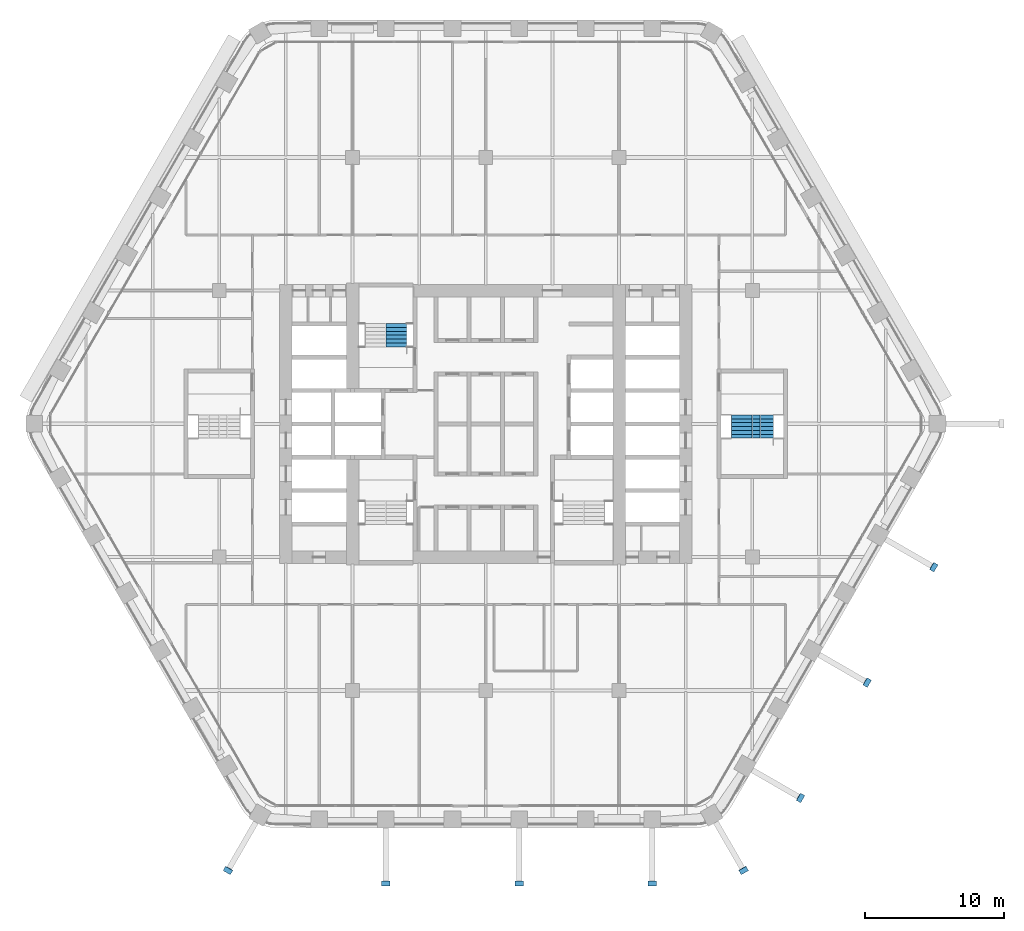
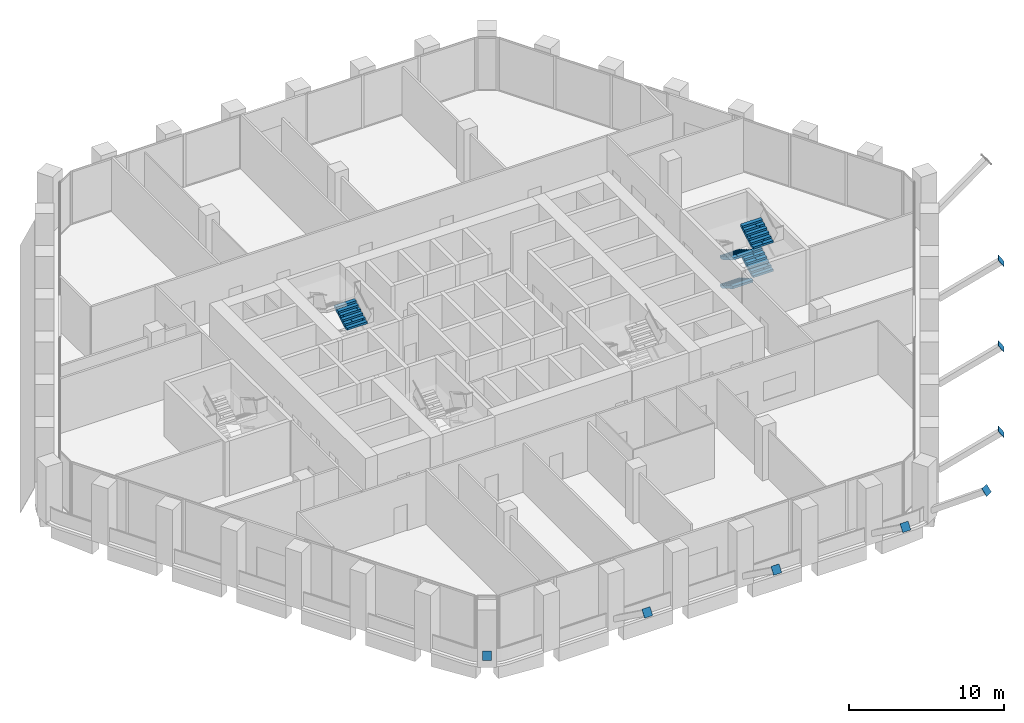
# One storey, part 21 of 24: 8 discrete accessories, 5 stair flights, 2 elements without a shape of their own.
"""IFC4 building model written with IfcOpenShell, lengths in metres."""

from ifc_helpers import new_model, si_unit, direction, frame, origin, origin_2d, place, context, subcontext, project, spatial, polyline, rectangle, outline, extrude, material, type_object, element, aggregate, save


model = new_model("IFC4")

# Units and contexts
model_context = context("Model", 3, precision=1e-05, world=origin(), true_north=direction((0.0, 1.0)))
body_context = subcontext(model_context, "Body", "Model", "MODEL_VIEW")
ifc_project = project(units=[si_unit("LENGTHUNIT", "METRE"), si_unit("AREAUNIT", "SQUARE_METRE"), si_unit("VOLUMEUNIT", "CUBIC_METRE"), si_unit("PLANEANGLEUNIT", "RADIAN"), si_unit("MASSUNIT", "GRAM", prefix="KILO")], contexts=[model_context])

# Site, building, storey
site_placement = place(None, origin())
site = spatial("IfcSite", under=ifc_project, at=site_placement, CompositionType="ELEMENT")
building_placement = place(site_placement, origin())
building = spatial("IfcBuilding", under=site, at=building_placement, Name="Kolab Exchange Tower", CompositionType="ELEMENT")
storey_placement = place(building_placement, frame((0.0, 0.0, 86.89990234375)))
storey = spatial("IfcBuildingStorey", under=building, at=storey_placement, Name="L16", CompositionType="ELEMENT", Elevation=86.89990234375)

# Stair, stair flight
ifc_material = material(Name="Concrete C50/60", Category="concrete")
stair_type_1 = type_object("IfcStairType", Name="STAIR ST1 RISER 160.7", PredefinedType="DOUBLE_RETURN_STAIR", material=ifc_material)
stair_1_placement = place(storey_placement, origin())
stair_1 = element("IfcStair", 1, at=stair_1_placement, inside=storey, type_object=stair_type_1, Name="Stair 1", PredefinedType="DOUBLE_RETURN_STAIR")
stair_flight_type = type_object("IfcStairFlightType", Name="STAIR FLIGHT 1500 RISER 160.7", PredefinedType="STRAIGHT", material=ifc_material)
stair_flight_1_placement = place(storey_placement, frame((-6.43994140625, 5.550048828125, 2.25), z_axis=(0.0, 0.0, 1.0), x_axis=(0.0, 1.0, 0.0)))
stair_flight_1 = element("IfcStairFlight", 2, at=stair_flight_1_placement, type_object=stair_flight_type, Name="ST1 flight 3", NumberOfRisers=7, NumberOfTreads=6, PredefinedType="STRAIGHT", RiserHeight=0.160714286, TreadLength=0.28, context=body_context, shape_type="SweptSolid", body=[
    extrude(outline(polyline([(0.0, 0.0), (0.0, 0.16064453125), (0.280029296875, 0.16064453125), (0.280029296875, 0.321533203125), (0.56005859375, 0.321533203125), (0.56005859375, 0.482177734375), (0.840087890625, 0.482177734375), (0.840087890625, 0.642822265625), (1.1201171875, 0.642822265625), (1.1201171875, 0.803466796875), (1.39990234375, 0.803466796875), (1.39990234375, 0.96435546875), (1.679931640625, 0.96435546875), (1.679931640625, 1.125), (1.679931640625, 0.79150390625), (0.301025390625, 0.0), (0.0, 0.0)])), frame((0.0, 0.75, 0.0), z_axis=(0.0, -1.0, 0.0), x_axis=(1.0, 0.0, 0.0)), (0.0, 0.0, 1.0), 0.185791015625),
    extrude(outline(polyline([(0.0, 0.0), (0.0, 0.16064453125), (0.280029296875, 0.16064453125), (0.280029296875, 0.321533203125), (0.56005859375, 0.321533203125), (0.56005859375, 0.482177734375), (0.840087890625, 0.482177734375), (0.840087890625, 0.642822265625), (1.1201171875, 0.642822265625), (1.1201171875, 0.803466796875), (1.39990234375, 0.803466796875), (1.39990234375, 0.96435546875), (1.679931640625, 0.96435546875), (1.679931640625, 1.125), (1.679931640625, 0.79150390625), (0.301025390625, 0.0), (0.0, 0.0)])), frame((0.0, 0.562255859375, 0.0), z_axis=(0.0, -1.0, 0.0), x_axis=(1.0, 0.0, 0.0)), (0.0, 0.0, 1.0), 0.185791015625),
    extrude(outline(polyline([(0.0, 0.0), (0.0, 0.16064453125), (0.280029296875, 0.16064453125), (0.280029296875, 0.321533203125), (0.56005859375, 0.321533203125), (0.56005859375, 0.482177734375), (0.840087890625, 0.482177734375), (0.840087890625, 0.642822265625), (1.1201171875, 0.642822265625), (1.1201171875, 0.803466796875), (1.39990234375, 0.803466796875), (1.39990234375, 0.96435546875), (1.679931640625, 0.96435546875), (1.679931640625, 1.125), (1.679931640625, 0.79150390625), (0.301025390625, 0.0), (0.0, 0.0)])), frame((0.0, 0.37451171875, 0.0), z_axis=(0.0, -1.0, 0.0), x_axis=(1.0, 0.0, 0.0)), (0.0, 0.0, 1.0), 0.185791015625),
    extrude(outline(polyline([(0.0, 0.0), (0.0, 0.16064453125), (0.280029296875, 0.16064453125), (0.280029296875, 0.321533203125), (0.56005859375, 0.321533203125), (0.56005859375, 0.482177734375), (0.840087890625, 0.482177734375), (0.840087890625, 0.642822265625), (1.1201171875, 0.642822265625), (1.1201171875, 0.803466796875), (1.39990234375, 0.803466796875), (1.39990234375, 0.96435546875), (1.679931640625, 0.96435546875), (1.679931640625, 1.125), (1.679931640625, 0.79150390625), (0.301025390625, 0.0), (0.0, 0.0)])), frame((0.0, 0.186767578125, 0.0), z_axis=(0.0, -1.0, 0.0), x_axis=(1.0, 0.0, 0.0)), (0.0, 0.0, 1.0), 0.185791015625),
    extrude(outline(polyline([(0.0, 0.0), (0.0, 0.16064453125), (0.280029296875, 0.16064453125), (0.280029296875, 0.321533203125), (0.56005859375, 0.321533203125), (0.56005859375, 0.482177734375), (0.840087890625, 0.482177734375), (0.840087890625, 0.642822265625), (1.1201171875, 0.642822265625), (1.1201171875, 0.803466796875), (1.39990234375, 0.803466796875), (1.39990234375, 0.96435546875), (1.679931640625, 0.96435546875), (1.679931640625, 1.125), (1.679931640625, 0.79150390625), (0.301025390625, 0.0), (0.0, 0.0)])), frame((0.0, -0.0009765625, 0.0), z_axis=(0.0, -1.0, 0.0), x_axis=(1.0, 0.0, 0.0)), (0.0, 0.0, 1.0), 0.185791015625),
    extrude(outline(polyline([(0.0, 0.0), (0.0, 0.16064453125), (0.280029296875, 0.16064453125), (0.280029296875, 0.321533203125), (0.56005859375, 0.321533203125), (0.56005859375, 0.482177734375), (0.840087890625, 0.482177734375), (0.840087890625, 0.642822265625), (1.1201171875, 0.642822265625), (1.1201171875, 0.803466796875), (1.39990234375, 0.803466796875), (1.39990234375, 0.96435546875), (1.679931640625, 0.96435546875), (1.679931640625, 1.125), (1.679931640625, 0.79150390625), (0.301025390625, 0.0), (0.0, 0.0)])), frame((0.0, -0.188720703125, 0.0), z_axis=(0.0, -1.0, 0.0), x_axis=(1.0, 0.0, 0.0)), (0.0, 0.0, 1.0), 0.185791015625),
    extrude(outline(polyline([(0.0, 0.0), (0.0, 0.16064453125), (0.280029296875, 0.16064453125), (0.280029296875, 0.321533203125), (0.56005859375, 0.321533203125), (0.56005859375, 0.482177734375), (0.840087890625, 0.482177734375), (0.840087890625, 0.642822265625), (1.1201171875, 0.642822265625), (1.1201171875, 0.803466796875), (1.39990234375, 0.803466796875), (1.39990234375, 0.96435546875), (1.679931640625, 0.96435546875), (1.679931640625, 1.125), (1.679931640625, 0.79150390625), (0.301025390625, 0.0), (0.0, 0.0)])), frame((0.0, -0.37646484375, 0.0), z_axis=(0.0, -1.0, 0.0), x_axis=(1.0, 0.0, 0.0)), (0.0, 0.0, 1.0), 0.185791015625),
    extrude(outline(polyline([(0.0, 0.0), (0.0, 0.16064453125), (0.280029296875, 0.16064453125), (0.280029296875, 0.321533203125), (0.56005859375, 0.321533203125), (0.56005859375, 0.482177734375), (0.840087890625, 0.482177734375), (0.840087890625, 0.642822265625), (1.1201171875, 0.642822265625), (1.1201171875, 0.803466796875), (1.39990234375, 0.803466796875), (1.39990234375, 0.96435546875), (1.679931640625, 0.96435546875), (1.679931640625, 1.125), (1.679931640625, 0.79150390625), (0.301025390625, 0.0), (0.0, 0.0)])), frame((0.0, -0.564208984375, 0.0), z_axis=(0.0, -1.0, 0.0), x_axis=(1.0, 0.0, 0.0)), (0.0, 0.0, 1.0), 0.185791015625),
])
aggregate(stair_1, [stair_flight_1])

# Stair, stair flights
stair_type_2 = type_object("IfcStairType", Name="STAIR ST4 RISER 160.7", PredefinedType="DOUBLE_RETURN_STAIR", material=ifc_material)
stair_2_placement = place(storey_placement, origin())
stair_2 = element("IfcStair", 3, at=stair_2_placement, inside=storey, type_object=stair_type_2, Name="Stair 4", PredefinedType="DOUBLE_RETURN_STAIR")
stair_flight_2_placement = place(storey_placement, frame((18.43994140625, 0.64990234375, 0.0), z_axis=(0.0, 0.0, 1.0), x_axis=(0.0, -1.0, 0.0)))
stair_flight_2 = element("IfcStairFlight", 4, at=stair_flight_2_placement, type_object=stair_flight_type, Name="ST4 flight 1", NumberOfRisers=7, NumberOfTreads=6, PredefinedType="STRAIGHT", RiserHeight=0.160714286, TreadLength=0.28, context=body_context, shape_type="SweptSolid", body=[
    extrude(outline(polyline([(0.0, 0.0), (0.0, 0.16064453125), (0.280029296875, 0.16064453125), (0.280029296875, 0.321533203125), (0.56005859375, 0.321533203125), (0.56005859375, 0.482177734375), (0.840087890625, 0.482177734375), (0.840087890625, 0.642822265625), (1.1201171875, 0.642822265625), (1.1201171875, 0.803466796875), (1.39990234375, 0.803466796875), (1.39990234375, 0.96435546875), (1.679931640625, 0.96435546875), (1.679931640625, 1.125), (1.679931640625, 0.79150390625), (0.301025390625, 0.0), (0.0, 0.0)])), frame((0.0, 0.75, 0.0), z_axis=(0.0, -1.0, 0.0), x_axis=(1.0, 0.0, 0.0)), (0.0, 0.0, 1.0), 0.185791015625),
    extrude(outline(polyline([(0.0, 0.0), (0.0, 0.16064453125), (0.280029296875, 0.16064453125), (0.280029296875, 0.321533203125), (0.56005859375, 0.321533203125), (0.56005859375, 0.482177734375), (0.840087890625, 0.482177734375), (0.840087890625, 0.642822265625), (1.1201171875, 0.642822265625), (1.1201171875, 0.803466796875), (1.39990234375, 0.803466796875), (1.39990234375, 0.96435546875), (1.679931640625, 0.96435546875), (1.679931640625, 1.125), (1.679931640625, 0.79150390625), (0.301025390625, 0.0), (0.0, 0.0)])), frame((0.0, 0.562255859375, 0.0), z_axis=(0.0, -1.0, 0.0), x_axis=(1.0, 0.0, 0.0)), (0.0, 0.0, 1.0), 0.185791015625),
    extrude(outline(polyline([(0.0, 0.0), (0.0, 0.16064453125), (0.280029296875, 0.16064453125), (0.280029296875, 0.321533203125), (0.56005859375, 0.321533203125), (0.56005859375, 0.482177734375), (0.840087890625, 0.482177734375), (0.840087890625, 0.642822265625), (1.1201171875, 0.642822265625), (1.1201171875, 0.803466796875), (1.39990234375, 0.803466796875), (1.39990234375, 0.96435546875), (1.679931640625, 0.96435546875), (1.679931640625, 1.125), (1.679931640625, 0.79150390625), (0.301025390625, 0.0), (0.0, 0.0)])), frame((0.0, 0.37451171875, 0.0), z_axis=(0.0, -1.0, 0.0), x_axis=(1.0, 0.0, 0.0)), (0.0, 0.0, 1.0), 0.185791015625),
    extrude(outline(polyline([(0.0, 0.0), (0.0, 0.16064453125), (0.280029296875, 0.16064453125), (0.280029296875, 0.321533203125), (0.56005859375, 0.321533203125), (0.56005859375, 0.482177734375), (0.840087890625, 0.482177734375), (0.840087890625, 0.642822265625), (1.1201171875, 0.642822265625), (1.1201171875, 0.803466796875), (1.39990234375, 0.803466796875), (1.39990234375, 0.96435546875), (1.679931640625, 0.96435546875), (1.679931640625, 1.125), (1.679931640625, 0.79150390625), (0.301025390625, 0.0), (0.0, 0.0)])), frame((0.0, 0.186767578125, 0.0), z_axis=(0.0, -1.0, 0.0), x_axis=(1.0, 0.0, 0.0)), (0.0, 0.0, 1.0), 0.185791015625),
    extrude(outline(polyline([(0.0, 0.0), (0.0, 0.16064453125), (0.280029296875, 0.16064453125), (0.280029296875, 0.321533203125), (0.56005859375, 0.321533203125), (0.56005859375, 0.482177734375), (0.840087890625, 0.482177734375), (0.840087890625, 0.642822265625), (1.1201171875, 0.642822265625), (1.1201171875, 0.803466796875), (1.39990234375, 0.803466796875), (1.39990234375, 0.96435546875), (1.679931640625, 0.96435546875), (1.679931640625, 1.125), (1.679931640625, 0.79150390625), (0.301025390625, 0.0), (0.0, 0.0)])), frame((0.0, -0.0009765625, 0.0), z_axis=(0.0, -1.0, 0.0), x_axis=(1.0, 0.0, 0.0)), (0.0, 0.0, 1.0), 0.185791015625),
    extrude(outline(polyline([(0.0, 0.0), (0.0, 0.16064453125), (0.280029296875, 0.16064453125), (0.280029296875, 0.321533203125), (0.56005859375, 0.321533203125), (0.56005859375, 0.482177734375), (0.840087890625, 0.482177734375), (0.840087890625, 0.642822265625), (1.1201171875, 0.642822265625), (1.1201171875, 0.803466796875), (1.39990234375, 0.803466796875), (1.39990234375, 0.96435546875), (1.679931640625, 0.96435546875), (1.679931640625, 1.125), (1.679931640625, 0.79150390625), (0.301025390625, 0.0), (0.0, 0.0)])), frame((0.0, -0.188720703125, 0.0), z_axis=(0.0, -1.0, 0.0), x_axis=(1.0, 0.0, 0.0)), (0.0, 0.0, 1.0), 0.185791015625),
    extrude(outline(polyline([(0.0, 0.0), (0.0, 0.16064453125), (0.280029296875, 0.16064453125), (0.280029296875, 0.321533203125), (0.56005859375, 0.321533203125), (0.56005859375, 0.482177734375), (0.840087890625, 0.482177734375), (0.840087890625, 0.642822265625), (1.1201171875, 0.642822265625), (1.1201171875, 0.803466796875), (1.39990234375, 0.803466796875), (1.39990234375, 0.96435546875), (1.679931640625, 0.96435546875), (1.679931640625, 1.125), (1.679931640625, 0.79150390625), (0.301025390625, 0.0), (0.0, 0.0)])), frame((0.0, -0.37646484375, 0.0), z_axis=(0.0, -1.0, 0.0), x_axis=(1.0, 0.0, 0.0)), (0.0, 0.0, 1.0), 0.185791015625),
    extrude(outline(polyline([(0.0, 0.0), (0.0, 0.16064453125), (0.280029296875, 0.16064453125), (0.280029296875, 0.321533203125), (0.56005859375, 0.321533203125), (0.56005859375, 0.482177734375), (0.840087890625, 0.482177734375), (0.840087890625, 0.642822265625), (1.1201171875, 0.642822265625), (1.1201171875, 0.803466796875), (1.39990234375, 0.803466796875), (1.39990234375, 0.96435546875), (1.679931640625, 0.96435546875), (1.679931640625, 1.125), (1.679931640625, 0.79150390625), (0.301025390625, 0.0), (0.0, 0.0)])), frame((0.0, -0.564208984375, 0.0), z_axis=(0.0, -1.0, 0.0), x_axis=(1.0, 0.0, 0.0)), (0.0, 0.0, 1.0), 0.185791015625),
])
stair_flight_3_placement = place(storey_placement, frame((19.9599609375, -1.030029296875, 1.125), z_axis=(0.0, 0.0, 1.0), x_axis=(0.0, 1.0, 0.0)))
stair_flight_3 = element("IfcStairFlight", 5, at=stair_flight_3_placement, type_object=stair_flight_type, Name="ST4 flight 2", NumberOfRisers=7, NumberOfTreads=6, PredefinedType="STRAIGHT", RiserHeight=0.160714286, TreadLength=0.28, context=body_context, shape_type="SweptSolid", body=[
    extrude(outline(polyline([(0.0, 0.0), (0.0, 0.16064453125), (0.280029296875, 0.16064453125), (0.280029296875, 0.321533203125), (0.56005859375, 0.321533203125), (0.56005859375, 0.482177734375), (0.840087890625, 0.482177734375), (0.840087890625, 0.642822265625), (1.1201171875, 0.642822265625), (1.1201171875, 0.803466796875), (1.39990234375, 0.803466796875), (1.39990234375, 0.96435546875), (1.679931640625, 0.96435546875), (1.679931640625, 1.125), (1.679931640625, 0.79150390625), (0.301025390625, 0.0), (0.0, 0.0)])), frame((0.0, 0.75, 0.0), z_axis=(0.0, -1.0, 0.0), x_axis=(1.0, 0.0, 0.0)), (0.0, 0.0, 1.0), 0.185791015625),
    extrude(outline(polyline([(0.0, 0.0), (0.0, 0.16064453125), (0.280029296875, 0.16064453125), (0.280029296875, 0.321533203125), (0.56005859375, 0.321533203125), (0.56005859375, 0.482177734375), (0.840087890625, 0.482177734375), (0.840087890625, 0.642822265625), (1.1201171875, 0.642822265625), (1.1201171875, 0.803466796875), (1.39990234375, 0.803466796875), (1.39990234375, 0.96435546875), (1.679931640625, 0.96435546875), (1.679931640625, 1.125), (1.679931640625, 0.79150390625), (0.301025390625, 0.0), (0.0, 0.0)])), frame((0.0, 0.562255859375, 0.0), z_axis=(0.0, -1.0, 0.0), x_axis=(1.0, 0.0, 0.0)), (0.0, 0.0, 1.0), 0.185791015625),
    extrude(outline(polyline([(0.0, 0.0), (0.0, 0.16064453125), (0.280029296875, 0.16064453125), (0.280029296875, 0.321533203125), (0.56005859375, 0.321533203125), (0.56005859375, 0.482177734375), (0.840087890625, 0.482177734375), (0.840087890625, 0.642822265625), (1.1201171875, 0.642822265625), (1.1201171875, 0.803466796875), (1.39990234375, 0.803466796875), (1.39990234375, 0.96435546875), (1.679931640625, 0.96435546875), (1.679931640625, 1.125), (1.679931640625, 0.79150390625), (0.301025390625, 0.0), (0.0, 0.0)])), frame((0.0, 0.37451171875, 0.0), z_axis=(0.0, -1.0, 0.0), x_axis=(1.0, 0.0, 0.0)), (0.0, 0.0, 1.0), 0.185791015625),
    extrude(outline(polyline([(0.0, 0.0), (0.0, 0.16064453125), (0.280029296875, 0.16064453125), (0.280029296875, 0.321533203125), (0.56005859375, 0.321533203125), (0.56005859375, 0.482177734375), (0.840087890625, 0.482177734375), (0.840087890625, 0.642822265625), (1.1201171875, 0.642822265625), (1.1201171875, 0.803466796875), (1.39990234375, 0.803466796875), (1.39990234375, 0.96435546875), (1.679931640625, 0.96435546875), (1.679931640625, 1.125), (1.679931640625, 0.79150390625), (0.301025390625, 0.0), (0.0, 0.0)])), frame((0.0, 0.186767578125, 0.0), z_axis=(0.0, -1.0, 0.0), x_axis=(1.0, 0.0, 0.0)), (0.0, 0.0, 1.0), 0.185791015625),
    extrude(outline(polyline([(0.0, 0.0), (0.0, 0.16064453125), (0.280029296875, 0.16064453125), (0.280029296875, 0.321533203125), (0.56005859375, 0.321533203125), (0.56005859375, 0.482177734375), (0.840087890625, 0.482177734375), (0.840087890625, 0.642822265625), (1.1201171875, 0.642822265625), (1.1201171875, 0.803466796875), (1.39990234375, 0.803466796875), (1.39990234375, 0.96435546875), (1.679931640625, 0.96435546875), (1.679931640625, 1.125), (1.679931640625, 0.79150390625), (0.301025390625, 0.0), (0.0, 0.0)])), frame((0.0, -0.0009765625, 0.0), z_axis=(0.0, -1.0, 0.0), x_axis=(1.0, 0.0, 0.0)), (0.0, 0.0, 1.0), 0.185791015625),
    extrude(outline(polyline([(0.0, 0.0), (0.0, 0.16064453125), (0.280029296875, 0.16064453125), (0.280029296875, 0.321533203125), (0.56005859375, 0.321533203125), (0.56005859375, 0.482177734375), (0.840087890625, 0.482177734375), (0.840087890625, 0.642822265625), (1.1201171875, 0.642822265625), (1.1201171875, 0.803466796875), (1.39990234375, 0.803466796875), (1.39990234375, 0.96435546875), (1.679931640625, 0.96435546875), (1.679931640625, 1.125), (1.679931640625, 0.79150390625), (0.301025390625, 0.0), (0.0, 0.0)])), frame((0.0, -0.188720703125, 0.0), z_axis=(0.0, -1.0, 0.0), x_axis=(1.0, 0.0, 0.0)), (0.0, 0.0, 1.0), 0.185791015625),
    extrude(outline(polyline([(0.0, 0.0), (0.0, 0.16064453125), (0.280029296875, 0.16064453125), (0.280029296875, 0.321533203125), (0.56005859375, 0.321533203125), (0.56005859375, 0.482177734375), (0.840087890625, 0.482177734375), (0.840087890625, 0.642822265625), (1.1201171875, 0.642822265625), (1.1201171875, 0.803466796875), (1.39990234375, 0.803466796875), (1.39990234375, 0.96435546875), (1.679931640625, 0.96435546875), (1.679931640625, 1.125), (1.679931640625, 0.79150390625), (0.301025390625, 0.0), (0.0, 0.0)])), frame((0.0, -0.37646484375, 0.0), z_axis=(0.0, -1.0, 0.0), x_axis=(1.0, 0.0, 0.0)), (0.0, 0.0, 1.0), 0.185791015625),
    extrude(outline(polyline([(0.0, 0.0), (0.0, 0.16064453125), (0.280029296875, 0.16064453125), (0.280029296875, 0.321533203125), (0.56005859375, 0.321533203125), (0.56005859375, 0.482177734375), (0.840087890625, 0.482177734375), (0.840087890625, 0.642822265625), (1.1201171875, 0.642822265625), (1.1201171875, 0.803466796875), (1.39990234375, 0.803466796875), (1.39990234375, 0.96435546875), (1.679931640625, 0.96435546875), (1.679931640625, 1.125), (1.679931640625, 0.79150390625), (0.301025390625, 0.0), (0.0, 0.0)])), frame((0.0, -0.564208984375, 0.0), z_axis=(0.0, -1.0, 0.0), x_axis=(1.0, 0.0, 0.0)), (0.0, 0.0, 1.0), 0.185791015625),
])
stair_flight_4_placement = place(storey_placement, frame((18.43994140625, 0.64990234375, 2.25), z_axis=(0.0, 0.0, 1.0), x_axis=(0.0, -1.0, 0.0)))
stair_flight_4 = element("IfcStairFlight", 6, at=stair_flight_4_placement, type_object=stair_flight_type, Name="ST4 flight 3", NumberOfRisers=7, NumberOfTreads=6, PredefinedType="STRAIGHT", RiserHeight=0.160714286, TreadLength=0.28, context=body_context, shape_type="SweptSolid", body=[
    extrude(outline(polyline([(0.0, 0.0), (0.0, 0.16064453125), (0.280029296875, 0.16064453125), (0.280029296875, 0.321533203125), (0.56005859375, 0.321533203125), (0.56005859375, 0.482177734375), (0.840087890625, 0.482177734375), (0.840087890625, 0.642822265625), (1.1201171875, 0.642822265625), (1.1201171875, 0.803466796875), (1.39990234375, 0.803466796875), (1.39990234375, 0.96435546875), (1.679931640625, 0.96435546875), (1.679931640625, 1.125), (1.679931640625, 0.79150390625), (0.301025390625, 0.0), (0.0, 0.0)])), frame((0.0, 0.75, 0.0), z_axis=(0.0, -1.0, 0.0), x_axis=(1.0, 0.0, 0.0)), (0.0, 0.0, 1.0), 0.185791015625),
    extrude(outline(polyline([(0.0, 0.0), (0.0, 0.16064453125), (0.280029296875, 0.16064453125), (0.280029296875, 0.321533203125), (0.56005859375, 0.321533203125), (0.56005859375, 0.482177734375), (0.840087890625, 0.482177734375), (0.840087890625, 0.642822265625), (1.1201171875, 0.642822265625), (1.1201171875, 0.803466796875), (1.39990234375, 0.803466796875), (1.39990234375, 0.96435546875), (1.679931640625, 0.96435546875), (1.679931640625, 1.125), (1.679931640625, 0.79150390625), (0.301025390625, 0.0), (0.0, 0.0)])), frame((0.0, 0.562255859375, 0.0), z_axis=(0.0, -1.0, 0.0), x_axis=(1.0, 0.0, 0.0)), (0.0, 0.0, 1.0), 0.185791015625),
    extrude(outline(polyline([(0.0, 0.0), (0.0, 0.16064453125), (0.280029296875, 0.16064453125), (0.280029296875, 0.321533203125), (0.56005859375, 0.321533203125), (0.56005859375, 0.482177734375), (0.840087890625, 0.482177734375), (0.840087890625, 0.642822265625), (1.1201171875, 0.642822265625), (1.1201171875, 0.803466796875), (1.39990234375, 0.803466796875), (1.39990234375, 0.96435546875), (1.679931640625, 0.96435546875), (1.679931640625, 1.125), (1.679931640625, 0.79150390625), (0.301025390625, 0.0), (0.0, 0.0)])), frame((0.0, 0.37451171875, 0.0), z_axis=(0.0, -1.0, 0.0), x_axis=(1.0, 0.0, 0.0)), (0.0, 0.0, 1.0), 0.185791015625),
    extrude(outline(polyline([(0.0, 0.0), (0.0, 0.16064453125), (0.280029296875, 0.16064453125), (0.280029296875, 0.321533203125), (0.56005859375, 0.321533203125), (0.56005859375, 0.482177734375), (0.840087890625, 0.482177734375), (0.840087890625, 0.642822265625), (1.1201171875, 0.642822265625), (1.1201171875, 0.803466796875), (1.39990234375, 0.803466796875), (1.39990234375, 0.96435546875), (1.679931640625, 0.96435546875), (1.679931640625, 1.125), (1.679931640625, 0.79150390625), (0.301025390625, 0.0), (0.0, 0.0)])), frame((0.0, 0.186767578125, 0.0), z_axis=(0.0, -1.0, 0.0), x_axis=(1.0, 0.0, 0.0)), (0.0, 0.0, 1.0), 0.185791015625),
    extrude(outline(polyline([(0.0, 0.0), (0.0, 0.16064453125), (0.280029296875, 0.16064453125), (0.280029296875, 0.321533203125), (0.56005859375, 0.321533203125), (0.56005859375, 0.482177734375), (0.840087890625, 0.482177734375), (0.840087890625, 0.642822265625), (1.1201171875, 0.642822265625), (1.1201171875, 0.803466796875), (1.39990234375, 0.803466796875), (1.39990234375, 0.96435546875), (1.679931640625, 0.96435546875), (1.679931640625, 1.125), (1.679931640625, 0.79150390625), (0.301025390625, 0.0), (0.0, 0.0)])), frame((0.0, -0.0009765625, 0.0), z_axis=(0.0, -1.0, 0.0), x_axis=(1.0, 0.0, 0.0)), (0.0, 0.0, 1.0), 0.185791015625),
    extrude(outline(polyline([(0.0, 0.0), (0.0, 0.16064453125), (0.280029296875, 0.16064453125), (0.280029296875, 0.321533203125), (0.56005859375, 0.321533203125), (0.56005859375, 0.482177734375), (0.840087890625, 0.482177734375), (0.840087890625, 0.642822265625), (1.1201171875, 0.642822265625), (1.1201171875, 0.803466796875), (1.39990234375, 0.803466796875), (1.39990234375, 0.96435546875), (1.679931640625, 0.96435546875), (1.679931640625, 1.125), (1.679931640625, 0.79150390625), (0.301025390625, 0.0), (0.0, 0.0)])), frame((0.0, -0.188720703125, 0.0), z_axis=(0.0, -1.0, 0.0), x_axis=(1.0, 0.0, 0.0)), (0.0, 0.0, 1.0), 0.185791015625),
    extrude(outline(polyline([(0.0, 0.0), (0.0, 0.16064453125), (0.280029296875, 0.16064453125), (0.280029296875, 0.321533203125), (0.56005859375, 0.321533203125), (0.56005859375, 0.482177734375), (0.840087890625, 0.482177734375), (0.840087890625, 0.642822265625), (1.1201171875, 0.642822265625), (1.1201171875, 0.803466796875), (1.39990234375, 0.803466796875), (1.39990234375, 0.96435546875), (1.679931640625, 0.96435546875), (1.679931640625, 1.125), (1.679931640625, 0.79150390625), (0.301025390625, 0.0), (0.0, 0.0)])), frame((0.0, -0.37646484375, 0.0), z_axis=(0.0, -1.0, 0.0), x_axis=(1.0, 0.0, 0.0)), (0.0, 0.0, 1.0), 0.185791015625),
    extrude(outline(polyline([(0.0, 0.0), (0.0, 0.16064453125), (0.280029296875, 0.16064453125), (0.280029296875, 0.321533203125), (0.56005859375, 0.321533203125), (0.56005859375, 0.482177734375), (0.840087890625, 0.482177734375), (0.840087890625, 0.642822265625), (1.1201171875, 0.642822265625), (1.1201171875, 0.803466796875), (1.39990234375, 0.803466796875), (1.39990234375, 0.96435546875), (1.679931640625, 0.96435546875), (1.679931640625, 1.125), (1.679931640625, 0.79150390625), (0.301025390625, 0.0), (0.0, 0.0)])), frame((0.0, -0.564208984375, 0.0), z_axis=(0.0, -1.0, 0.0), x_axis=(1.0, 0.0, 0.0)), (0.0, 0.0, 1.0), 0.185791015625),
])
stair_flight_5_placement = place(storey_placement, frame((19.9599609375, -1.030029296875, 3.375), z_axis=(0.0, 0.0, 1.0), x_axis=(0.0, 1.0, 0.0)))
stair_flight_5 = element("IfcStairFlight", 7, at=stair_flight_5_placement, type_object=stair_flight_type, Name="ST4 flight 4", NumberOfRisers=7, NumberOfTreads=6, PredefinedType="STRAIGHT", RiserHeight=0.160714286, TreadLength=0.28, context=body_context, shape_type="SweptSolid", body=[
    extrude(outline(polyline([(0.0, 0.0), (0.0, 0.16064453125), (0.280029296875, 0.16064453125), (0.280029296875, 0.321533203125), (0.56005859375, 0.321533203125), (0.56005859375, 0.482177734375), (0.840087890625, 0.482177734375), (0.840087890625, 0.642822265625), (1.1201171875, 0.642822265625), (1.1201171875, 0.803466796875), (1.39990234375, 0.803466796875), (1.39990234375, 0.96435546875), (1.679931640625, 0.96435546875), (1.679931640625, 1.125), (1.679931640625, 0.79150390625), (0.301025390625, 0.0), (0.0, 0.0)])), frame((0.0, 0.75, 0.0), z_axis=(0.0, -1.0, 0.0), x_axis=(1.0, 0.0, 0.0)), (0.0, 0.0, 1.0), 0.185791015625),
    extrude(outline(polyline([(0.0, 0.0), (0.0, 0.16064453125), (0.280029296875, 0.16064453125), (0.280029296875, 0.321533203125), (0.56005859375, 0.321533203125), (0.56005859375, 0.482177734375), (0.840087890625, 0.482177734375), (0.840087890625, 0.642822265625), (1.1201171875, 0.642822265625), (1.1201171875, 0.803466796875), (1.39990234375, 0.803466796875), (1.39990234375, 0.96435546875), (1.679931640625, 0.96435546875), (1.679931640625, 1.125), (1.679931640625, 0.79150390625), (0.301025390625, 0.0), (0.0, 0.0)])), frame((0.0, 0.562255859375, 0.0), z_axis=(0.0, -1.0, 0.0), x_axis=(1.0, 0.0, 0.0)), (0.0, 0.0, 1.0), 0.185791015625),
    extrude(outline(polyline([(0.0, 0.0), (0.0, 0.16064453125), (0.280029296875, 0.16064453125), (0.280029296875, 0.321533203125), (0.56005859375, 0.321533203125), (0.56005859375, 0.482177734375), (0.840087890625, 0.482177734375), (0.840087890625, 0.642822265625), (1.1201171875, 0.642822265625), (1.1201171875, 0.803466796875), (1.39990234375, 0.803466796875), (1.39990234375, 0.96435546875), (1.679931640625, 0.96435546875), (1.679931640625, 1.125), (1.679931640625, 0.79150390625), (0.301025390625, 0.0), (0.0, 0.0)])), frame((0.0, 0.37451171875, 0.0), z_axis=(0.0, -1.0, 0.0), x_axis=(1.0, 0.0, 0.0)), (0.0, 0.0, 1.0), 0.185791015625),
    extrude(outline(polyline([(0.0, 0.0), (0.0, 0.16064453125), (0.280029296875, 0.16064453125), (0.280029296875, 0.321533203125), (0.56005859375, 0.321533203125), (0.56005859375, 0.482177734375), (0.840087890625, 0.482177734375), (0.840087890625, 0.642822265625), (1.1201171875, 0.642822265625), (1.1201171875, 0.803466796875), (1.39990234375, 0.803466796875), (1.39990234375, 0.96435546875), (1.679931640625, 0.96435546875), (1.679931640625, 1.125), (1.679931640625, 0.79150390625), (0.301025390625, 0.0), (0.0, 0.0)])), frame((0.0, 0.186767578125, 0.0), z_axis=(0.0, -1.0, 0.0), x_axis=(1.0, 0.0, 0.0)), (0.0, 0.0, 1.0), 0.185791015625),
    extrude(outline(polyline([(0.0, 0.0), (0.0, 0.16064453125), (0.280029296875, 0.16064453125), (0.280029296875, 0.321533203125), (0.56005859375, 0.321533203125), (0.56005859375, 0.482177734375), (0.840087890625, 0.482177734375), (0.840087890625, 0.642822265625), (1.1201171875, 0.642822265625), (1.1201171875, 0.803466796875), (1.39990234375, 0.803466796875), (1.39990234375, 0.96435546875), (1.679931640625, 0.96435546875), (1.679931640625, 1.125), (1.679931640625, 0.79150390625), (0.301025390625, 0.0), (0.0, 0.0)])), frame((0.0, -0.0009765625, 0.0), z_axis=(0.0, -1.0, 0.0), x_axis=(1.0, 0.0, 0.0)), (0.0, 0.0, 1.0), 0.185791015625),
    extrude(outline(polyline([(0.0, 0.0), (0.0, 0.16064453125), (0.280029296875, 0.16064453125), (0.280029296875, 0.321533203125), (0.56005859375, 0.321533203125), (0.56005859375, 0.482177734375), (0.840087890625, 0.482177734375), (0.840087890625, 0.642822265625), (1.1201171875, 0.642822265625), (1.1201171875, 0.803466796875), (1.39990234375, 0.803466796875), (1.39990234375, 0.96435546875), (1.679931640625, 0.96435546875), (1.679931640625, 1.125), (1.679931640625, 0.79150390625), (0.301025390625, 0.0), (0.0, 0.0)])), frame((0.0, -0.188720703125, 0.0), z_axis=(0.0, -1.0, 0.0), x_axis=(1.0, 0.0, 0.0)), (0.0, 0.0, 1.0), 0.185791015625),
    extrude(outline(polyline([(0.0, 0.0), (0.0, 0.16064453125), (0.280029296875, 0.16064453125), (0.280029296875, 0.321533203125), (0.56005859375, 0.321533203125), (0.56005859375, 0.482177734375), (0.840087890625, 0.482177734375), (0.840087890625, 0.642822265625), (1.1201171875, 0.642822265625), (1.1201171875, 0.803466796875), (1.39990234375, 0.803466796875), (1.39990234375, 0.96435546875), (1.679931640625, 0.96435546875), (1.679931640625, 1.125), (1.679931640625, 0.79150390625), (0.301025390625, 0.0), (0.0, 0.0)])), frame((0.0, -0.37646484375, 0.0), z_axis=(0.0, -1.0, 0.0), x_axis=(1.0, 0.0, 0.0)), (0.0, 0.0, 1.0), 0.185791015625),
    extrude(outline(polyline([(0.0, 0.0), (0.0, 0.16064453125), (0.280029296875, 0.16064453125), (0.280029296875, 0.321533203125), (0.56005859375, 0.321533203125), (0.56005859375, 0.482177734375), (0.840087890625, 0.482177734375), (0.840087890625, 0.642822265625), (1.1201171875, 0.642822265625), (1.1201171875, 0.803466796875), (1.39990234375, 0.803466796875), (1.39990234375, 0.96435546875), (1.679931640625, 0.96435546875), (1.679931640625, 1.125), (1.679931640625, 0.79150390625), (0.301025390625, 0.0), (0.0, 0.0)])), frame((0.0, -0.564208984375, 0.0), z_axis=(0.0, -1.0, 0.0), x_axis=(1.0, 0.0, 0.0)), (0.0, 0.0, 1.0), 0.185791015625),
])
aggregate(stair_2, [stair_flight_2, stair_flight_3, stair_flight_4, stair_flight_5])

# Discrete accessories
discrete_accessory_1_placement = place(storey_placement, frame((32.26416015625, -10.313720703125, 3.51806640625), z_axis=(0.701047485404, -0.408944366486, 0.584206237837), x_axis=(0.503871025524, 0.863778900898, 0.0)))
element("IfcDiscreteAccessory", 8, at=discrete_accessory_1_placement, inside=storey, Name="Gusset plate", ObjectType="GUSSET PLATE", PredefinedType="USERDEFINED", context=body_context, shape_type="SweptSolid", body=[
    extrude(rectangle(XDim=0.60009765625, YDim=0.60009765625, at=origin_2d()), origin(), (0.0, 0.0, 1.0), 0.025146484375),
])
discrete_accessory_2_placement = place(storey_placement, frame((27.464111328125, -18.627685546875, 3.51806640625), z_axis=(0.703822068467, -0.400787566766, 0.586518390389), x_axis=(0.494838618701, 0.868984891377, 0.0)))
element("IfcDiscreteAccessory", 9, at=discrete_accessory_2_placement, inside=storey, Name="Gusset plate", ObjectType="GUSSET PLATE", PredefinedType="USERDEFINED", context=body_context, shape_type="SweptSolid", body=[
    extrude(rectangle(XDim=0.60009765625, YDim=0.60009765625, at=origin_2d()), origin(), (0.0, 0.0, 1.0), 0.02490234375),
])
discrete_accessory_3_placement = place(storey_placement, frame((22.6640625, -26.94140625, 3.51806640625), z_axis=(0.701047485404, -0.408944366486, 0.584206237837), x_axis=(0.503871025524, 0.863778900898, 0.0)))
element("IfcDiscreteAccessory", 10, at=discrete_accessory_3_placement, inside=storey, Name="Gusset plate", ObjectType="GUSSET PLATE", PredefinedType="USERDEFINED", context=body_context, shape_type="SweptSolid", body=[
    extrude(rectangle(XDim=0.60009765625, YDim=0.60009765625, at=origin_2d()), origin(), (0.0, 0.0, 1.0), 0.025146484375),
])
discrete_accessory_4_placement = place(storey_placement, frame((18.56787109375, -32.16064453125, 3.51806640625), z_axis=(0.400787566766, -0.703822068467, 0.586518390389), x_axis=(0.868984891377, 0.494838618701, 0.0)))
element("IfcDiscreteAccessory", 11, at=discrete_accessory_4_placement, inside=storey, Name="Gusset plate", ObjectType="GUSSET PLATE", PredefinedType="USERDEFINED", context=body_context, shape_type="SweptSolid", body=[
    extrude(rectangle(XDim=0.60009765625, YDim=0.60009765625, at=origin_2d()), origin(), (0.0, 0.0, 1.0), 0.02490234375),
])
for number, where, z_axis, x_axis, name in (
    (12, (12.0, -33.098388671875, 3.51806640625), (0.0, -0.813733471207, 0.581238193719), (1.0, 0.0, 0.0), "Gusset plate"),
    (13, (2.39990234375, -33.098388671875, 3.51806640625), (0.0, -0.813733471207, 0.581238193719), (1.0, 0.0, 0.0), "Gusset plate"),
    (14, (-7.199951171875, -33.098388671875, 3.51806640625), (0.0, -0.813733471207, 0.581238193719), (1.0, 0.0, 0.0), "Gusset plate"),
):
    element("IfcDiscreteAccessory", number, at=place(storey_placement, frame(where, z_axis=z_axis, x_axis=x_axis)), inside=storey, Name=name, ObjectType="GUSSET PLATE", PredefinedType="USERDEFINED", context=body_context, shape_type="SweptSolid", body=[
        extrude(rectangle(XDim=0.60009765625, YDim=0.60009765625, at=origin_2d()), origin(), (0.0, 0.0, 1.0), 0.025146484375),
    ])
discrete_accessory_5_placement = place(storey_placement, frame((-18.56787109375, -32.16064453125, 3.51806640625), z_axis=(-0.400787566766, -0.703822068467, 0.586518390389), x_axis=(0.868984891377, -0.494838618701, 0.0)))
element("IfcDiscreteAccessory", 15, at=discrete_accessory_5_placement, inside=storey, Name="Gusset plate", ObjectType="GUSSET PLATE", PredefinedType="USERDEFINED", context=body_context, shape_type="SweptSolid", body=[
    extrude(rectangle(XDim=0.60009765625, YDim=0.60009765625, at=origin_2d()), origin(), (0.0, 0.0, 1.0), 0.02490234375),
])

save(model, "model.ifc")
